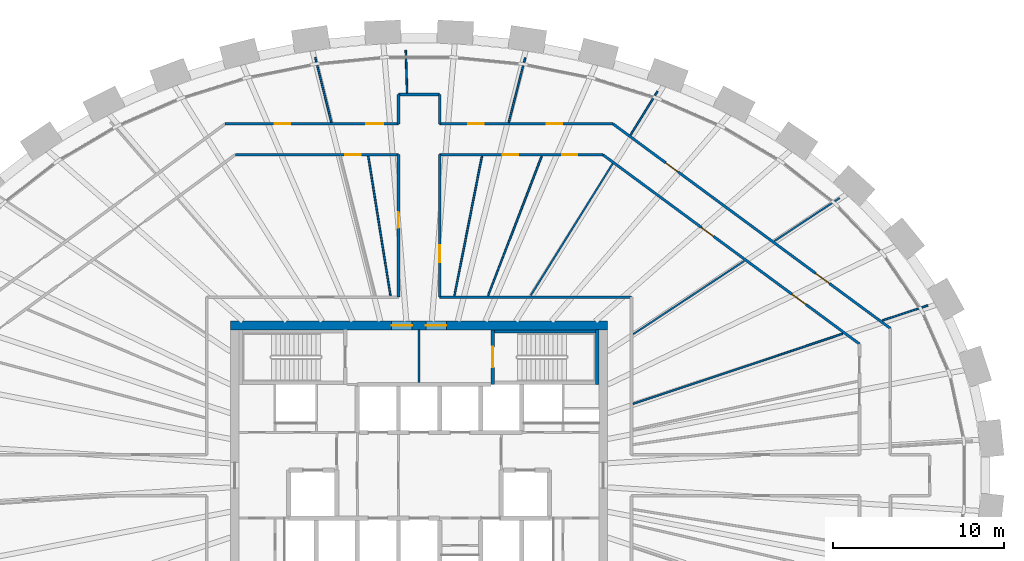
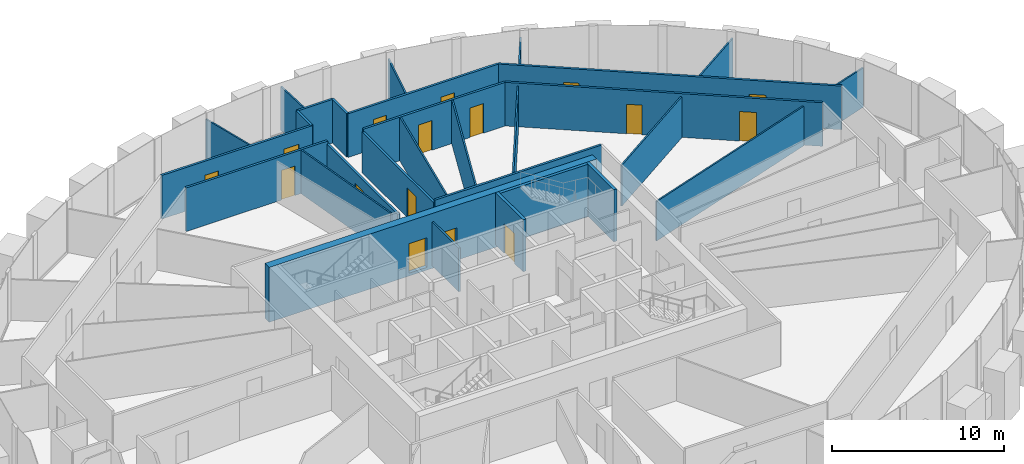
# One storey, part 10 of 12: 29 walls, 16 doors, 16 openings.
"""IFC4 building model written with IfcOpenShell, lengths in metres."""

from ifc_helpers import new_model, si_unit, direction, frame, frame_2d, origin, place, context, subcontext, project, spatial, rectangle, extrude, source, transform, mapped, material, layer, layer_set, type_object, element, fill, save


model = new_model("IFC4")

# Units and contexts
model_context = context("Model", 3, precision=1e-05, world=origin(), true_north=direction((0.0, 1.0)))
body_context = subcontext(model_context, "Body", "Model", "MODEL_VIEW")
ifc_project = project(units=[si_unit("LENGTHUNIT", "METRE"), si_unit("AREAUNIT", "SQUARE_METRE"), si_unit("VOLUMEUNIT", "CUBIC_METRE"), si_unit("PLANEANGLEUNIT", "RADIAN"), si_unit("MASSUNIT", "GRAM", prefix="KILO")], contexts=[model_context])

# Site, building, storey
site_placement = place(None, origin())
site = spatial("IfcSite", under=ifc_project, at=site_placement, CompositionType="ELEMENT")
building_placement = place(site_placement, origin())
building = spatial("IfcBuilding", under=site, at=building_placement, Name="Embergate Tower", CompositionType="ELEMENT")
storey_placement = place(building_placement, frame((0.0, 0.0, 253.89990234375)))
storey = spatial("IfcBuildingStorey", under=building, at=storey_placement, Name="L58", CompositionType="ELEMENT", Elevation=253.89990234375)

# Wall, openings, doors
ifc_material_1 = material(Name="Concrete C50", Category="concrete")
ifc_layer_1 = layer(ifc_material_1, 0.5)
ifc_layer_set_1 = layer_set([ifc_layer_1], Name="Concrete C50")
wall_type_1 = type_object("IfcWallType", Name="Core outer wall C50 500", PredefinedType="SHEAR", material=ifc_layer_set_1)
shared_shape_1 = source(origin(), body_context, "Body", "SweptSolid", [
    extrude(rectangle(XDim=22.0, YDim=0.5, at=frame_2d((11.0, 0.0))), origin(), (0.0, 0.0, 1.0), 3.900146484375),
])
wall_1_placement = place(storey_placement, frame((-11.0, 8.75, -0.199951171875), z_axis=(0.0, 0.0, 1.0), x_axis=(1.0, 0.0, 0.0)))
wall_1 = element("IfcWall", 1, at=wall_1_placement, inside=storey, type_object=wall_type_1, Name="CW-L58-N", PredefinedType="SHEAR", context=body_context, shape_type="MappedRepresentation", body=[
    mapped(shared_shape_1, transform((0.0, 0.0, 0.0))),
])
shared_shape_2 = source(origin(), body_context, "Body", "SweptSolid", [
    extrude(rectangle(XDim=1.199951171875, YDim=2.10009765625, at=frame_2d((0.60009765625, 1.050048828125))), frame((0.0, 0.260009765625, 0.0), z_axis=(0.0, -1.0, 0.0), x_axis=(1.0, 0.0, 0.0)), (0.0, 0.0, 1.0), 0.52001953125),
])
opening_1_placement = place(wall_1_placement, frame((9.39990234375, 0.0, 0.199951171875)))
opening_1 = element("IfcOpeningElement", 2, at=opening_1_placement, cuts=wall_1, Name="Opening IF-1", PredefinedType="OPENING", context=body_context, shape_type="MappedRepresentation", body=[
    mapped(shared_shape_2, transform((0.0, 0.0, 0.0))),
])
opening_2_placement = place(wall_1_placement, frame((11.39990234375, 0.0, 0.199951171875)))
opening_2 = element("IfcOpeningElement", 3, at=opening_2_placement, cuts=wall_1, Name="Opening IF-1", PredefinedType="OPENING", context=body_context, shape_type="MappedRepresentation", body=[
    mapped(shared_shape_2, transform((0.0, 0.0, 0.0))),
])
ifc_material_2 = material(Name="Escape fire door 1200")
door_type_1 = type_object("IfcDoorType", Name="Escape fire door 1200", OperationType="SINGLE_SWING_LEFT", PredefinedType="DOOR", material=ifc_material_2)
shared_shape_3 = source(origin(), body_context, "Body", "SweptSolid", [
    extrude(rectangle(XDim=1.199951171875, YDim=2.10009765625, at=frame_2d((0.60009765625, 1.050048828125))), frame((0.0, 0.02490234375, 0.0), z_axis=(0.0, -1.0, 0.0), x_axis=(1.0, 0.0, 0.0)), (0.0, 0.0, 1.0), 0.050048828125),
])
door_1_placement = place(opening_1_placement, origin())
door_1 = element("IfcDoor", 4, at=door_1_placement, inside=storey, type_object=door_type_1, Name="IF-1 door", OperationType="SINGLE_SWING_RIGHT", OverallHeight=2.10009765625, OverallWidth=1.199951171875, PredefinedType="DOOR", context=body_context, shape_type="MappedRepresentation", body=[
    mapped(shared_shape_3, transform((0.0, 0.0, 0.0))),
])
fill(opening_1, door_1)
door_2_placement = place(opening_2_placement, origin())
door_2 = element("IfcDoor", 5, at=door_2_placement, inside=storey, type_object=door_type_1, Name="IF-1 door", OperationType="SINGLE_SWING_LEFT", OverallHeight=2.10009765625, OverallWidth=1.199951171875, PredefinedType="DOOR", context=body_context, shape_type="MappedRepresentation", body=[
    mapped(shared_shape_3, transform((0.0, 0.0, 0.0))),
])
fill(opening_2, door_2)

# Wall, opening, door
ifc_layer_2 = layer(ifc_material_1, 0.199951171875)
ifc_layer_set_2 = layer_set([ifc_layer_2], Name="Concrete C50")
wall_type_2 = type_object("IfcWallType", Name="Stair enclosure wall reinforced concrete 250", PredefinedType="SHEAR", material=ifc_layer_set_2)
shared_shape_4 = source(origin(), body_context, "Body", "SweptSolid", [
    extrude(rectangle(XDim=3.199951171875, YDim=0.199951171875, at=frame_2d((1.60009765625, 0.0))), origin(), (0.0, 0.0, 1.0), 3.7001953125),
])
wall_2_placement = place(storey_placement, frame((4.300048828125, 8.5, 0.0), z_axis=(0.0, 0.0, 1.0), x_axis=(0.0, -1.0, 0.0)))
wall_2 = element("IfcWall", 6, at=wall_2_placement, inside=storey, type_object=wall_type_2, Name="SE-1 wall", PredefinedType="SHEAR", context=body_context, shape_type="MappedRepresentation", body=[
    mapped(shared_shape_4, transform((0.0, 0.0, 0.0))),
])
shared_shape_5 = source(origin(), body_context, "Body", "SweptSolid", [
    extrude(rectangle(XDim=1.199951171875, YDim=2.10009765625, at=frame_2d((0.60009765625, 1.050048828125))), frame((0.0, 0.10986328125, 0.0), z_axis=(0.0, -1.0, 0.0), x_axis=(1.0, 0.0, 0.0)), (0.0, 0.0, 1.0), 0.219970703125),
])
opening_3_placement = place(wall_2_placement, frame((1.0, 0.0, 0.0)))
opening_3 = element("IfcOpeningElement", 7, at=opening_3_placement, cuts=wall_2, Name="Opening IF-2", PredefinedType="OPENING", context=body_context, shape_type="MappedRepresentation", body=[
    mapped(shared_shape_5, transform((0.0, 0.0, 0.0))),
])
ifc_material_3 = material(Name="Stair enclosure door 1200")
door_type_2 = type_object("IfcDoorType", Name="Stair enclosure door 1200", OperationType="SINGLE_SWING_LEFT", PredefinedType="DOOR", material=ifc_material_3)
door_3_placement = place(opening_3_placement, origin())
door_3 = element("IfcDoor", 8, at=door_3_placement, inside=storey, type_object=door_type_2, Name="IF-2 door", OperationType="SINGLE_SWING_LEFT", OverallHeight=2.10009765625, OverallWidth=1.199951171875, PredefinedType="DOOR", context=body_context, shape_type="MappedRepresentation", body=[
    mapped(shared_shape_3, transform((0.0, 0.0, 0.0))),
])
fill(opening_3, door_3)

# Wall
wall_3_placement = place(storey_placement, frame((10.39990234375, 5.300048828125, 0.0), z_axis=(0.0, 0.0, 1.0), x_axis=(0.0, 1.0, 0.0)))
element("IfcWall", 9, at=wall_3_placement, inside=storey, type_object=wall_type_2, Name="SE-1 wall", PredefinedType="SHEAR", context=body_context, shape_type="MappedRepresentation", body=[
    mapped(shared_shape_4, transform((0.0, 0.0, 0.0))),
])

# Wall, openings, doors
ifc_material_4 = material(Name="Corridor wall dry-lined 150 wet")
ifc_layer_3 = layer(ifc_material_4, 0.14990234375)
ifc_layer_set_3 = layer_set([ifc_layer_3], Name="Corridor wall dry-lined 150 wet")
wall_type_3 = type_object("IfcWallType", Name="Corridor wall dry-lined 150 wet", PredefinedType="PLUMBINGWALL", material=ifc_layer_set_3)
shared_shape_6 = source(origin(), body_context, "Body", "SweptSolid", [
    extrude(rectangle(XDim=20.116455078125, YDim=0.14990234375, at=frame_2d((10.05810546875, 0.0))), origin(), (0.0, 0.0, 1.0), 3.10009765625),
])
wall_4_placement = place(storey_placement, frame((11.319091796875, 20.51806640625, 0.0), z_axis=(0.0, 0.0, 1.0), x_axis=(0.804910001979, -0.593396906559, 0.0)))
wall_4 = element("IfcWall", 10, at=wall_4_placement, inside=storey, type_object=wall_type_3, Name="IP-2 wall", PredefinedType="PLUMBINGWALL", context=body_context, shape_type="MappedRepresentation", body=[
    mapped(shared_shape_6, transform((0.0, 0.0, 0.0))),
])
shared_shape_7 = source(origin(), body_context, "Body", "SweptSolid", [
    extrude(rectangle(XDim=1.0, YDim=2.10009765625, at=frame_2d((0.5, 1.050048828125))), frame((0.0, 0.0849609375, 0.0), z_axis=(0.0, -1.0, 0.0), x_axis=(1.0, 0.0, 0.0)), (0.0, 0.0, 1.0), 0.169921875),
])
opening_4_placement = place(wall_4_placement, frame((14.701904296875, 0.0, 0.0)))
opening_4 = element("IfcOpeningElement", 11, at=opening_4_placement, cuts=wall_4, Name="Opening ID-2", PredefinedType="OPENING", context=body_context, shape_type="MappedRepresentation", body=[
    mapped(shared_shape_7, transform((0.0, 0.0, 0.0))),
])
shared_shape_8 = source(origin(), body_context, "Body", "SweptSolid", [
    extrude(rectangle(XDim=0.89990234375, YDim=2.10009765625, at=frame_2d((0.449951171875, 1.050048828125))), frame((0.0, 0.0849609375, 0.0), z_axis=(0.0, -1.0, 0.0), x_axis=(1.0, 0.0, 0.0)), (0.0, 0.0, 1.0), 0.169921875),
])
opening_5_placement = place(wall_4_placement, frame((3.82666015625, 0.0, 0.0)))
opening_5 = element("IfcOpeningElement", 12, at=opening_5_placement, cuts=wall_4, Name="Opening IF-1c", PredefinedType="OPENING", context=body_context, shape_type="MappedRepresentation", body=[
    mapped(shared_shape_8, transform((0.0, 0.0, 0.0))),
])
ifc_material_5 = material(Name="Escape fire door 900")
door_type_3 = type_object("IfcDoorType", Name="Escape fire door 900", OperationType="SINGLE_SWING_LEFT", PredefinedType="DOOR", material=ifc_material_5)
shared_shape_9 = source(origin(), body_context, "Body", "SweptSolid", [
    extrude(rectangle(XDim=0.89990234375, YDim=2.10009765625, at=frame_2d((0.449951171875, 1.050048828125))), frame((0.0, 0.02490234375, 0.0), z_axis=(0.0, -1.0, 0.0), x_axis=(1.0, 0.0, 0.0)), (0.0, 0.0, 1.0), 0.050048828125),
])
door_4_placement = place(opening_5_placement, origin())
door_4 = element("IfcDoor", 13, at=door_4_placement, inside=storey, type_object=door_type_3, Name="IF-1 door", OperationType="SINGLE_SWING_RIGHT", OverallHeight=2.10009765625, OverallWidth=0.89990234375, PredefinedType="DOOR", context=body_context, shape_type="MappedRepresentation", body=[
    mapped(shared_shape_9, transform((0.0, 0.0, 0.0))),
])
fill(opening_5, door_4)
ifc_material_6 = material(Name="Interior door 1000")
door_type_4 = type_object("IfcDoorType", Name="Interior door 1000", OperationType="SINGLE_SWING_LEFT", PredefinedType="DOOR", material=ifc_material_6)
shared_shape_10 = source(origin(), body_context, "Body", "SweptSolid", [
    extrude(rectangle(XDim=1.0, YDim=2.10009765625, at=frame_2d((0.5, 1.050048828125))), frame((0.0, 0.02490234375, 0.0), z_axis=(0.0, -1.0, 0.0), x_axis=(1.0, 0.0, 0.0)), (0.0, 0.0, 1.0), 0.050048828125),
])
door_5_placement = place(opening_4_placement, origin())
door_5 = element("IfcDoor", 14, at=door_5_placement, inside=storey, type_object=door_type_4, Name="ID-2 door", OperationType="SINGLE_SWING_RIGHT", OverallHeight=2.10009765625, OverallWidth=1.0, PredefinedType="DOOR", context=body_context, shape_type="MappedRepresentation", body=[
    mapped(shared_shape_10, transform((0.0, 0.0, 0.0))),
])
fill(opening_4, door_5)

shared_shape_11 = source(origin(), body_context, "Body", "SweptSolid", [
    extrude(rectangle(XDim=18.615966796875, YDim=0.14990234375, at=frame_2d((9.30810546875, 0.0))), origin(), (0.0, 0.0, 1.0), 3.10009765625),
])
wall_5_placement = place(storey_placement, frame((10.72705078125, 18.718017578125, 0.0), z_axis=(0.0, 0.0, 1.0), x_axis=(0.804892640185, -0.593420456149, 0.0)))
wall_5 = element("IfcWall", 15, at=wall_5_placement, inside=storey, type_object=wall_type_3, Name="IP-2 wall", PredefinedType="PLUMBINGWALL", context=body_context, shape_type="MappedRepresentation", body=[
    mapped(shared_shape_11, transform((0.0, 0.0, 0.0))),
])
opening_6_placement = place(wall_5_placement, frame((13.73486328125, 0.0, 0.0)))
opening_6 = element("IfcOpeningElement", 16, at=opening_6_placement, cuts=wall_5, Name="Opening ID-2", PredefinedType="OPENING", context=body_context, shape_type="MappedRepresentation", body=[
    mapped(shared_shape_7, transform((0.0, 0.0, 0.0))),
])
opening_7_placement = place(wall_5_placement, frame((7.1396484375, 0.0, 0.0)))
opening_7 = element("IfcOpeningElement", 17, at=opening_7_placement, cuts=wall_5, Name="Opening IF-1c", PredefinedType="OPENING", context=body_context, shape_type="MappedRepresentation", body=[
    mapped(shared_shape_8, transform((0.0, 0.0, 0.0))),
])
door_6_placement = place(opening_7_placement, origin())
door_6 = element("IfcDoor", 18, at=door_6_placement, inside=storey, type_object=door_type_3, Name="IF-1 door", OperationType="SINGLE_SWING_LEFT", OverallHeight=2.10009765625, OverallWidth=0.89990234375, PredefinedType="DOOR", context=body_context, shape_type="MappedRepresentation", body=[
    mapped(shared_shape_9, transform((0.0, 0.0, 0.0))),
])
fill(opening_7, door_6)
door_7_placement = place(opening_6_placement, origin())
door_7 = element("IfcDoor", 19, at=door_7_placement, inside=storey, type_object=door_type_4, Name="ID-2 door", OperationType="SINGLE_SWING_LEFT", OverallHeight=2.10009765625, OverallWidth=1.0, PredefinedType="DOOR", context=body_context, shape_type="MappedRepresentation", body=[
    mapped(shared_shape_10, transform((0.0, 0.0, 0.0))),
])
fill(opening_6, door_7)

# Wall
ifc_material_7 = material(Name="Corridor wall dry-lined 150")
ifc_layer_4 = layer(ifc_material_7, 0.14990234375)
ifc_layer_set_4 = layer_set([ifc_layer_4], Name="Corridor wall dry-lined 150")
wall_type_4 = type_object("IfcWallType", Name="Corridor wall dry-lined 150", PredefinedType="PARTITIONING", material=ifc_layer_set_4)
shared_shape_12 = source(origin(), body_context, "Body", "SweptSolid", [
    extrude(rectangle(XDim=11.199951171875, YDim=0.14990234375, at=frame_2d((5.60009765625, 0.0))), origin(), (0.0, 0.0, 1.0), 3.10009765625),
])
wall_6_placement = place(storey_placement, frame((12.39990234375, 10.39990234375, 0.0), z_axis=(0.0, 0.0, 1.0), x_axis=(-1.0, 0.0, 0.0)))
element("IfcWall", 20, at=wall_6_placement, inside=storey, type_object=wall_type_4, Name="IP-2 wall", PredefinedType="PARTITIONING", context=body_context, shape_type="MappedRepresentation", body=[
    mapped(shared_shape_12, transform((0.0, 0.0, 0.0))),
])

# Wall, openings, doors
shared_shape_13 = source(origin(), body_context, "Body", "SweptSolid", [
    extrude(rectangle(XDim=10.119140625, YDim=0.14990234375, at=frame_2d((5.0595703125, 0.0))), origin(), (0.0, 0.0, 1.0), 3.10009765625),
])
wall_7_placement = place(storey_placement, frame((1.199951171875, 20.51806640625, 0.0), z_axis=(0.0, 0.0, 1.0), x_axis=(1.0, 0.0, 0.0)))
wall_7 = element("IfcWall", 21, at=wall_7_placement, inside=storey, type_object=wall_type_4, Name="IP-2 wall", PredefinedType="PARTITIONING", context=body_context, shape_type="MappedRepresentation", body=[
    mapped(shared_shape_13, transform((0.0, 0.0, 0.0))),
])
opening_8_placement = place(wall_7_placement, frame((6.248046875, 0.0, 0.0)))
opening_8 = element("IfcOpeningElement", 22, at=opening_8_placement, cuts=wall_7, Name="Opening IF-1c", PredefinedType="OPENING", context=body_context, shape_type="MappedRepresentation", body=[
    mapped(shared_shape_8, transform((0.0, 0.0, 0.0))),
])
opening_9_placement = place(wall_7_placement, frame((1.68310546875, 0.0, 0.0)))
opening_9 = element("IfcOpeningElement", 23, at=opening_9_placement, cuts=wall_7, Name="Opening IF-1c", PredefinedType="OPENING", context=body_context, shape_type="MappedRepresentation", body=[
    mapped(shared_shape_8, transform((0.0, 0.0, 0.0))),
])
door_8_placement = place(opening_8_placement, origin())
door_8 = element("IfcDoor", 24, at=door_8_placement, inside=storey, type_object=door_type_3, Name="IF-1 door", OperationType="SINGLE_SWING_LEFT", OverallHeight=2.10009765625, OverallWidth=0.89990234375, PredefinedType="DOOR", context=body_context, shape_type="MappedRepresentation", body=[
    mapped(shared_shape_9, transform((0.0, 0.0, 0.0))),
])
fill(opening_8, door_8)
door_9_placement = place(opening_9_placement, origin())
door_9 = element("IfcDoor", 25, at=door_9_placement, inside=storey, type_object=door_type_3, Name="IF-1 door", OperationType="SINGLE_SWING_LEFT", OverallHeight=2.10009765625, OverallWidth=0.89990234375, PredefinedType="DOOR", context=body_context, shape_type="MappedRepresentation", body=[
    mapped(shared_shape_9, transform((0.0, 0.0, 0.0))),
])
fill(opening_9, door_9)

wall_8_placement = place(storey_placement, frame((-11.319091796875, 20.51806640625, 0.0), z_axis=(0.0, 0.0, 1.0), x_axis=(1.0, 0.0, 0.0)))
wall_8 = element("IfcWall", 26, at=wall_8_placement, inside=storey, type_object=wall_type_4, Name="IP-2 wall", PredefinedType="PARTITIONING", context=body_context, shape_type="MappedRepresentation", body=[
    mapped(shared_shape_13, transform((0.0, 0.0, 0.0))),
])
opening_10_placement = place(wall_8_placement, frame((8.2216796875, 0.0, 0.0)))
opening_10 = element("IfcOpeningElement", 27, at=opening_10_placement, cuts=wall_8, Name="Opening ID-2", PredefinedType="OPENING", context=body_context, shape_type="MappedRepresentation", body=[
    mapped(shared_shape_7, transform((0.0, 0.0, 0.0))),
])
opening_11_placement = place(wall_8_placement, frame((2.897705078125, 0.0, 0.0)))
opening_11 = element("IfcOpeningElement", 28, at=opening_11_placement, cuts=wall_8, Name="Opening IF-1c", PredefinedType="OPENING", context=body_context, shape_type="MappedRepresentation", body=[
    mapped(shared_shape_8, transform((0.0, 0.0, 0.0))),
])
door_10_placement = place(opening_11_placement, origin())
door_10 = element("IfcDoor", 29, at=door_10_placement, inside=storey, type_object=door_type_3, Name="IF-1 door", OperationType="SINGLE_SWING_RIGHT", OverallHeight=2.10009765625, OverallWidth=0.89990234375, PredefinedType="DOOR", context=body_context, shape_type="MappedRepresentation", body=[
    mapped(shared_shape_9, transform((0.0, 0.0, 0.0))),
])
fill(opening_11, door_10)
door_11_placement = place(opening_10_placement, origin())
door_11 = element("IfcDoor", 30, at=door_11_placement, inside=storey, type_object=door_type_4, Name="ID-2 door", OperationType="SINGLE_SWING_RIGHT", OverallHeight=2.10009765625, OverallWidth=1.0, PredefinedType="DOOR", context=body_context, shape_type="MappedRepresentation", body=[
    mapped(shared_shape_10, transform((0.0, 0.0, 0.0))),
])
fill(opening_10, door_11)

# Walls
shared_shape_14 = source(origin(), body_context, "Body", "SweptSolid", [
    extrude(rectangle(XDim=1.7158203125, YDim=0.14990234375, at=frame_2d((0.85791015625, 0.0))), origin(), (0.0, 0.0, 1.0), 3.10009765625),
])
for number, where, z_axis, x_axis, name in (
    (31, (1.199951171875, 22.23388671875, 0.0), (0.0, 0.0, 1.0), (0.0, -1.0, 0.0), "IP-2 wall"),
    (32, (-1.199951171875, 20.51806640625, 0.0), (0.0, 0.0, 1.0), (0.0, 1.0, 0.0), "IP-2 wall"),
):
    element("IfcWall", number, at=place(storey_placement, frame(where, z_axis=z_axis, x_axis=x_axis)), inside=storey, type_object=wall_type_4, Name=name, PredefinedType="PARTITIONING", context=body_context, shape_type="MappedRepresentation", body=[
        mapped(shared_shape_14, transform((0.0, 0.0, 0.0))),
    ])
shared_shape_15 = source(origin(), body_context, "Body", "SweptSolid", [
    extrude(rectangle(XDim=2.39990234375, YDim=0.14990234375, at=frame_2d((1.199951171875, 0.0))), origin(), (0.0, 0.0, 1.0), 3.10009765625),
])
wall_9_placement = place(storey_placement, frame((-1.199951171875, 22.23388671875, 0.0), z_axis=(0.0, 0.0, 1.0), x_axis=(1.0, 0.0, 0.0)))
element("IfcWall", 33, at=wall_9_placement, inside=storey, type_object=wall_type_4, Name="IP-2 wall", PredefinedType="PARTITIONING", context=body_context, shape_type="MappedRepresentation", body=[
    mapped(shared_shape_15, transform((0.0, 0.0, 0.0))),
])

# Wall, opening, door
shared_shape_16 = source(origin(), body_context, "Body", "SweptSolid", [
    extrude(rectangle(XDim=9.527099609375, YDim=0.14990234375, at=frame_2d((4.763671875, 0.0))), origin(), (0.0, 0.0, 1.0), 3.10009765625),
])
wall_10_placement = place(storey_placement, frame((-1.199951171875, 18.718017578125, 0.0), z_axis=(0.0, 0.0, 1.0), x_axis=(-1.0, 0.0, 0.0)))
wall_10 = element("IfcWall", 34, at=wall_10_placement, inside=storey, type_object=wall_type_4, Name="IP-2 wall", PredefinedType="PARTITIONING", context=body_context, shape_type="MappedRepresentation", body=[
    mapped(shared_shape_16, transform((0.0, 0.0, 0.0))),
])
opening_12_placement = place(wall_10_placement, frame((2.2060546875, 0.0, 0.0)))
opening_12 = element("IfcOpeningElement", 35, at=opening_12_placement, cuts=wall_10, Name="Opening IF-1c", PredefinedType="OPENING", context=body_context, shape_type="MappedRepresentation", body=[
    mapped(shared_shape_8, transform((0.0, 0.0, 0.0))),
])
door_12_placement = place(opening_12_placement, origin())
door_12 = element("IfcDoor", 36, at=door_12_placement, inside=storey, type_object=door_type_3, Name="IF-1 door", OperationType="SINGLE_SWING_LEFT", OverallHeight=2.10009765625, OverallWidth=0.89990234375, PredefinedType="DOOR", context=body_context, shape_type="MappedRepresentation", body=[
    mapped(shared_shape_9, transform((0.0, 0.0, 0.0))),
])
fill(opening_12, door_12)

# Wall, openings, doors
wall_11_placement = place(storey_placement, frame((1.199951171875, 18.718017578125, 0.0), z_axis=(0.0, 0.0, 1.0), x_axis=(1.0, 0.0, 0.0)))
wall_11 = element("IfcWall", 37, at=wall_11_placement, inside=storey, type_object=wall_type_4, Name="IP-2 wall", PredefinedType="PARTITIONING", context=body_context, shape_type="MappedRepresentation", body=[
    mapped(shared_shape_16, transform((0.0, 0.0, 0.0))),
])
opening_13_placement = place(wall_11_placement, frame((7.14501953125, 0.0, 0.0)))
opening_13 = element("IfcOpeningElement", 38, at=opening_13_placement, cuts=wall_11, Name="Opening IF-1c", PredefinedType="OPENING", context=body_context, shape_type="MappedRepresentation", body=[
    mapped(shared_shape_8, transform((0.0, 0.0, 0.0))),
])
opening_14_placement = place(wall_11_placement, frame((3.69091796875, 0.0, 0.0)))
opening_14 = element("IfcOpeningElement", 39, at=opening_14_placement, cuts=wall_11, Name="Opening IF-1c", PredefinedType="OPENING", context=body_context, shape_type="MappedRepresentation", body=[
    mapped(shared_shape_8, transform((0.0, 0.0, 0.0))),
])
door_13_placement = place(opening_13_placement, origin())
door_13 = element("IfcDoor", 40, at=door_13_placement, inside=storey, type_object=door_type_3, Name="IF-1 door", OperationType="SINGLE_SWING_LEFT", OverallHeight=2.10009765625, OverallWidth=0.89990234375, PredefinedType="DOOR", context=body_context, shape_type="MappedRepresentation", body=[
    mapped(shared_shape_9, transform((0.0, 0.0, 0.0))),
])
fill(opening_13, door_13)
door_14_placement = place(opening_14_placement, origin())
door_14 = element("IfcDoor", 41, at=door_14_placement, inside=storey, type_object=door_type_3, Name="IF-1 door", OperationType="SINGLE_SWING_LEFT", OverallHeight=2.10009765625, OverallWidth=0.89990234375, PredefinedType="DOOR", context=body_context, shape_type="MappedRepresentation", body=[
    mapped(shared_shape_9, transform((0.0, 0.0, 0.0))),
])
fill(opening_14, door_14)

# Walls
ifc_material_8 = material(Name="Partition dry-lined 100 wet")
ifc_layer_5 = layer(ifc_material_8, 0.10009765625)
ifc_layer_set_5 = layer_set([ifc_layer_5], Name="Partition dry-lined 100 wet")
wall_type_5 = type_object("IfcWallType", Name="Partition dry-lined 100 wet", PredefinedType="PLUMBINGWALL", material=ifc_layer_set_5)
shared_shape_17 = source(origin(), body_context, "Body", "SweptSolid", [
    extrude(rectangle(XDim=2.779296875, YDim=0.10009765625, at=frame_2d((1.3896484375, 0.0))), origin(), (0.0, 0.0, 1.0), 2.800048828125),
])
wall_12_placement = place(storey_placement, frame((27.06005859375, 9.0419921875, 0.0), z_axis=(0.0, 0.0, 1.0), x_axis=(0.9484194456, 0.317018225356, 0.0)))
element("IfcWall", 42, at=wall_12_placement, inside=storey, type_object=wall_type_5, Name="IP-1 wall", PredefinedType="PLUMBINGWALL", context=body_context, shape_type="MappedRepresentation", body=[
    mapped(shared_shape_17, transform((0.0, 0.0, 0.0))),
])
shared_shape_18 = source(origin(), body_context, "Body", "SweptSolid", [
    extrude(rectangle(XDim=12.906005859375, YDim=0.10009765625, at=frame_2d((6.453125, 0.0))), origin(), (0.0, 0.0, 1.0), 2.800048828125),
])
wall_13_placement = place(storey_placement, frame((12.490966796875, 4.174072265625, 0.0), z_axis=(0.0, 0.0, 1.0), x_axis=(0.948461740931, 0.316891662859, 0.0)))
element("IfcWall", 43, at=wall_13_placement, inside=storey, type_object=wall_type_5, Name="IP-1 wall", PredefinedType="PLUMBINGWALL", context=body_context, shape_type="MappedRepresentation", body=[
    mapped(shared_shape_18, transform((0.0, 0.0, 0.0))),
])
ifc_material_9 = material(Name="Partition dry-lined 100")
ifc_layer_6 = layer(ifc_material_9, 0.10009765625)
ifc_layer_set_6 = layer_set([ifc_layer_6], Name="Partition dry-lined 100")
wall_type_6 = type_object("IfcWallType", Name="Partition dry-lined 100", PredefinedType="PARTITIONING", material=ifc_layer_set_6)
shared_shape_19 = source(origin(), body_context, "Body", "SweptSolid", [
    extrude(rectangle(XDim=2.51708984375, YDim=0.10009765625, at=frame_2d((1.258544921875, 0.0))), origin(), (0.0, 0.0, 1.0), 3.10009765625),
])
wall_14_placement = place(storey_placement, frame((-0.697998046875, 22.30908203125, 0.0), z_axis=(0.0, 0.0, 1.0), x_axis=(-0.030941025384, 0.999521211855, 0.0)))
element("IfcWall", 44, at=wall_14_placement, inside=storey, type_object=wall_type_6, Name="IP-1 wall", PredefinedType="PARTITIONING", context=body_context, shape_type="MappedRepresentation", body=[
    mapped(shared_shape_19, transform((0.0, 0.0, 0.0))),
])
shared_shape_20 = source(origin(), body_context, "Body", "SweptSolid", [
    extrude(rectangle(XDim=8.2548828125, YDim=0.10009765625, at=frame_2d((4.12744140625, 0.0))), origin(), (0.0, 0.0, 1.0), 3.10009765625),
])
wall_15_placement = place(storey_placement, frame((-1.66796875, 10.48291015625, 0.0), z_axis=(0.0, 0.0, 1.0), x_axis=(-0.157253374505, 0.98755829003, 0.0)))
element("IfcWall", 45, at=wall_15_placement, inside=storey, type_object=wall_type_6, Name="IP-1 wall", PredefinedType="PARTITIONING", context=body_context, shape_type="MappedRepresentation", body=[
    mapped(shared_shape_20, transform((0.0, 0.0, 0.0))),
])
shared_shape_21 = source(origin(), body_context, "Body", "SweptSolid", [
    extrude(rectangle(XDim=8.7119140625, YDim=0.10009765625, at=frame_2d((4.35595703125, 0.0))), origin(), (0.0, 0.0, 1.0), 3.10009765625),
])
wall_16_placement = place(storey_placement, frame((4.032958984375, 10.492919921875, 0.0), z_axis=(0.0, 0.0, 1.0), x_axis=(0.358706769307, 0.933450295224, 0.0)))
element("IfcWall", 46, at=wall_16_placement, inside=storey, type_object=wall_type_6, Name="IP-1 wall", PredefinedType="PARTITIONING", context=body_context, shape_type="MappedRepresentation", body=[
    mapped(shared_shape_21, transform((0.0, 0.0, 0.0))),
])
shared_shape_22 = source(origin(), body_context, "Body", "SweptSolid", [
    extrude(rectangle(XDim=8.3046875, YDim=0.10009765625, at=frame_2d((4.15234375, 0.0))), origin(), (0.0, 0.0, 1.0), 3.10009765625),
])
wall_17_placement = place(storey_placement, frame((2.06591796875, 10.485107421875, 0.0), z_axis=(0.0, 0.0, 1.0), x_axis=(0.193407407705, 0.981118532413, 0.0)))
element("IfcWall", 47, at=wall_17_placement, inside=storey, type_object=wall_type_6, Name="IP-1 wall", PredefinedType="PARTITIONING", context=body_context, shape_type="MappedRepresentation", body=[
    mapped(shared_shape_22, transform((0.0, 0.0, 0.0))),
])
ifc_material_10 = material(Name="Core partition blockwork 120")
ifc_layer_7 = layer(ifc_material_10, 0.1201171875)
ifc_layer_set_7 = layer_set([ifc_layer_7], Name="Core partition blockwork 120")
wall_type_7 = type_object("IfcWallType", Name="Core partition blockwork 120", PredefinedType="PARTITIONING", material=ifc_layer_set_7)
shared_shape_23 = source(origin(), body_context, "Body", "SweptSolid", [
    extrude(rectangle(XDim=3.074951171875, YDim=0.1201171875, at=frame_2d((1.53759765625, 0.0))), origin(), (0.0, 0.0, 1.0), 3.10009765625),
])
wall_18_placement = place(storey_placement, frame((0.0, 5.425048828125, 0.0), z_axis=(0.0, 0.0, 1.0), x_axis=(0.0, 1.0, 0.0)))
element("IfcWall", 48, at=wall_18_placement, inside=storey, type_object=wall_type_7, Name="IP-3 wall", PredefinedType="PARTITIONING", context=body_context, shape_type="MappedRepresentation", body=[
    mapped(shared_shape_23, transform((0.0, 0.0, 0.0))),
])

# Wall, opening, door
shared_shape_24 = source(origin(), body_context, "Body", "SweptSolid", [
    extrude(rectangle(XDim=8.318115234375, YDim=0.14990234375, at=frame_2d((4.1591796875, 0.0))), origin(), (0.0, 0.0, 1.0), 2.900146484375),
])
wall_19_placement = place(storey_placement, frame((-1.199951171875, 10.39990234375, 0.0), z_axis=(0.0, 0.0, 1.0), x_axis=(0.0, 1.0, 0.0)))
wall_19 = element("IfcWall", 49, at=wall_19_placement, inside=storey, type_object=wall_type_4, Name="IP-2 wall", PredefinedType="PARTITIONING", context=body_context, shape_type="MappedRepresentation", body=[
    mapped(shared_shape_24, transform((0.0, 0.0, 0.0))),
])
opening_15_placement = place(wall_19_placement, frame((4.050048828125, 0.0, 0.0)))
opening_15 = element("IfcOpeningElement", 50, at=opening_15_placement, cuts=wall_19, Name="Opening IF-1c", PredefinedType="OPENING", context=body_context, shape_type="MappedRepresentation", body=[
    mapped(shared_shape_8, transform((0.0, 0.0, 0.0))),
])
door_15_placement = place(opening_15_placement, origin())
door_15 = element("IfcDoor", 51, at=door_15_placement, inside=storey, type_object=door_type_3, Name="IF-1 door", OperationType="SINGLE_SWING_RIGHT", OverallHeight=2.10009765625, OverallWidth=0.89990234375, PredefinedType="DOOR", context=body_context, shape_type="MappedRepresentation", body=[
    mapped(shared_shape_9, transform((0.0, 0.0, 0.0))),
])
fill(opening_15, door_15)

wall_20_placement = place(storey_placement, frame((1.199951171875, 18.718017578125, 0.0), z_axis=(0.0, 0.0, 1.0), x_axis=(0.0, -1.0, 0.0)))
wall_20 = element("IfcWall", 52, at=wall_20_placement, inside=storey, type_object=wall_type_4, Name="IP-2 wall", PredefinedType="PARTITIONING", context=body_context, shape_type="MappedRepresentation", body=[
    mapped(shared_shape_24, transform((0.0, 0.0, 0.0))),
])
opening_16_placement = place(wall_20_placement, frame((5.270751953125, 0.0, 0.0)))
opening_16 = element("IfcOpeningElement", 53, at=opening_16_placement, cuts=wall_20, Name="Opening ID-2", PredefinedType="OPENING", context=body_context, shape_type="MappedRepresentation", body=[
    mapped(shared_shape_7, transform((0.0, 0.0, 0.0))),
])
door_16_placement = place(opening_16_placement, origin())
door_16 = element("IfcDoor", 54, at=door_16_placement, inside=storey, type_object=door_type_4, Name="ID-2 door", OperationType="SINGLE_SWING_LEFT", OverallHeight=2.10009765625, OverallWidth=1.0, PredefinedType="DOOR", context=body_context, shape_type="MappedRepresentation", body=[
    mapped(shared_shape_10, transform((0.0, 0.0, 0.0))),
])
fill(opening_16, door_16)

# Walls
shared_shape_25 = source(origin(), body_context, "Body", "SweptSolid", [
    extrude(rectangle(XDim=4.563720703125, YDim=0.10009765625, at=frame_2d((2.28173828125, 0.0))), origin(), (0.0, 0.0, 1.0), 2.900146484375),
])
wall_21_placement = place(storey_placement, frame((20.75, 13.678955078125, 0.0), z_axis=(0.0, 0.0, 1.0), x_axis=(0.834878865051, 0.550433720525, 0.0)))
element("IfcWall", 55, at=wall_21_placement, inside=storey, type_object=wall_type_6, Name="IP-1 wall", PredefinedType="PARTITIONING", context=body_context, shape_type="MappedRepresentation", body=[
    mapped(shared_shape_25, transform((0.0, 0.0, 0.0))),
])
shared_shape_26 = source(origin(), body_context, "Body", "SweptSolid", [
    extrude(rectangle(XDim=3.010498046875, YDim=0.10009765625, at=frame_2d((1.50537109375, 0.0))), origin(), (0.0, 0.0, 1.0), 2.900146484375),
])
wall_22_placement = place(storey_placement, frame((12.3349609375, 19.861083984375, 0.0), z_axis=(0.0, 0.0, 1.0), x_axis=(0.52786139666, 0.849330528072, 0.0)))
element("IfcWall", 56, at=wall_22_placement, inside=storey, type_object=wall_type_6, Name="IP-1 wall", PredefinedType="PARTITIONING", context=body_context, shape_type="MappedRepresentation", body=[
    mapped(shared_shape_26, transform((0.0, 0.0, 0.0))),
])
shared_shape_27 = source(origin(), body_context, "Body", "SweptSolid", [
    extrude(rectangle(XDim=7.7646484375, YDim=0.10009765625, at=frame_2d((3.88232421875, 0.0))), origin(), (0.0, 0.0, 1.0), 2.900146484375),
])
wall_23_placement = place(storey_placement, frame((12.501953125, 8.241943359375, 0.0), z_axis=(0.0, 0.0, 1.0), x_axis=(0.834960503085, 0.550309874788, 0.0)))
element("IfcWall", 57, at=wall_23_placement, inside=storey, type_object=wall_type_6, Name="IP-1 wall", PredefinedType="PARTITIONING", context=body_context, shape_type="MappedRepresentation", body=[
    mapped(shared_shape_27, transform((0.0, 0.0, 0.0))),
])
shared_shape_28 = source(origin(), body_context, "Body", "SweptSolid", [
    extrude(rectangle(XDim=9.063232421875, YDim=0.10009765625, at=frame_2d((4.53173828125, 0.0))), origin(), (0.0, 0.0, 1.0), 2.900146484375),
])
wall_24_placement = place(storey_placement, frame((6.52197265625, 10.5009765625, 0.0), z_axis=(0.0, 0.0, 1.0), x_axis=(0.52762636224, 0.849476557575, 0.0)))
element("IfcWall", 58, at=wall_24_placement, inside=storey, type_object=wall_type_6, Name="IP-1 wall", PredefinedType="PARTITIONING", context=body_context, shape_type="MappedRepresentation", body=[
    mapped(shared_shape_28, transform((0.0, 0.0, 0.0))),
])
shared_shape_29 = source(origin(), body_context, "Body", "SweptSolid", [
    extrude(rectangle(XDim=3.889892578125, YDim=0.10009765625, at=frame_2d((1.94482421875, 0.0))), origin(), (0.0, 0.0, 1.0), 2.900146484375),
])
wall_25_placement = place(storey_placement, frame((5.237060546875, 20.60498046875, 0.0), z_axis=(0.0, 0.0, 1.0), x_axis=(0.246284867829, 0.969197484457, 0.0)))
element("IfcWall", 59, at=wall_25_placement, inside=storey, type_object=wall_type_6, Name="IP-1 wall", PredefinedType="PARTITIONING", context=body_context, shape_type="MappedRepresentation", body=[
    mapped(shared_shape_29, transform((0.0, 0.0, 0.0))),
])
shared_shape_30 = source(origin(), body_context, "Body", "SweptSolid", [
    extrude(rectangle(XDim=3.905029296875, YDim=0.10009765625, at=frame_2d((1.95263671875, 0.0))), origin(), (0.0, 0.0, 1.0), 2.900146484375),
])
wall_26_placement = place(storey_placement, frame((-5.116943359375, 20.60498046875, 0.0), z_axis=(0.0, 0.0, 1.0), x_axis=(-0.241005480194, 0.970523754741, 0.0)))
element("IfcWall", 60, at=wall_26_placement, inside=storey, type_object=wall_type_6, Name="IP-1 wall", PredefinedType="PARTITIONING", context=body_context, shape_type="MappedRepresentation", body=[
    mapped(shared_shape_30, transform((0.0, 0.0, 0.0))),
])
shared_shape_31 = source(origin(), body_context, "Body", "SweptSolid", [
    extrude(rectangle(XDim=6.298095703125, YDim=0.199951171875, at=frame_2d((3.14892578125, 0.0))), origin(), (0.0, 0.0, 1.0), 3.7001953125),
])
wall_27_placement = place(storey_placement, frame((10.5, 8.39990234375, 0.0), z_axis=(0.0, 0.0, 1.0), x_axis=(-1.0, 0.0, 0.0)))
element("IfcWall", 61, at=wall_27_placement, inside=storey, type_object=wall_type_2, Name="SE-1 wall", PredefinedType="SHEAR", context=body_context, shape_type="MappedRepresentation", body=[
    mapped(shared_shape_31, transform((0.0, 0.0, 0.0))),
])

save(model, "model.ifc")
